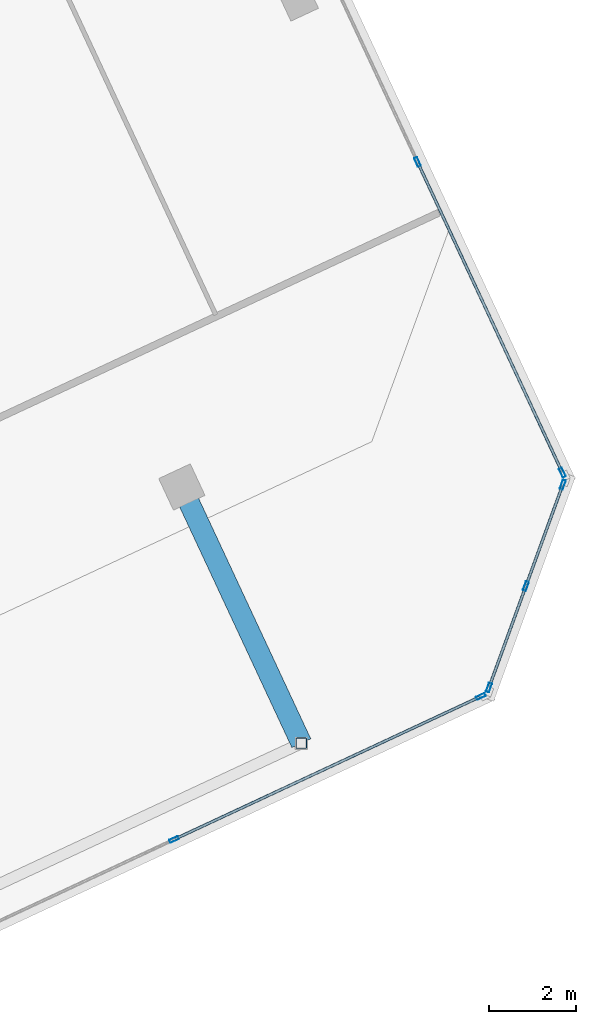
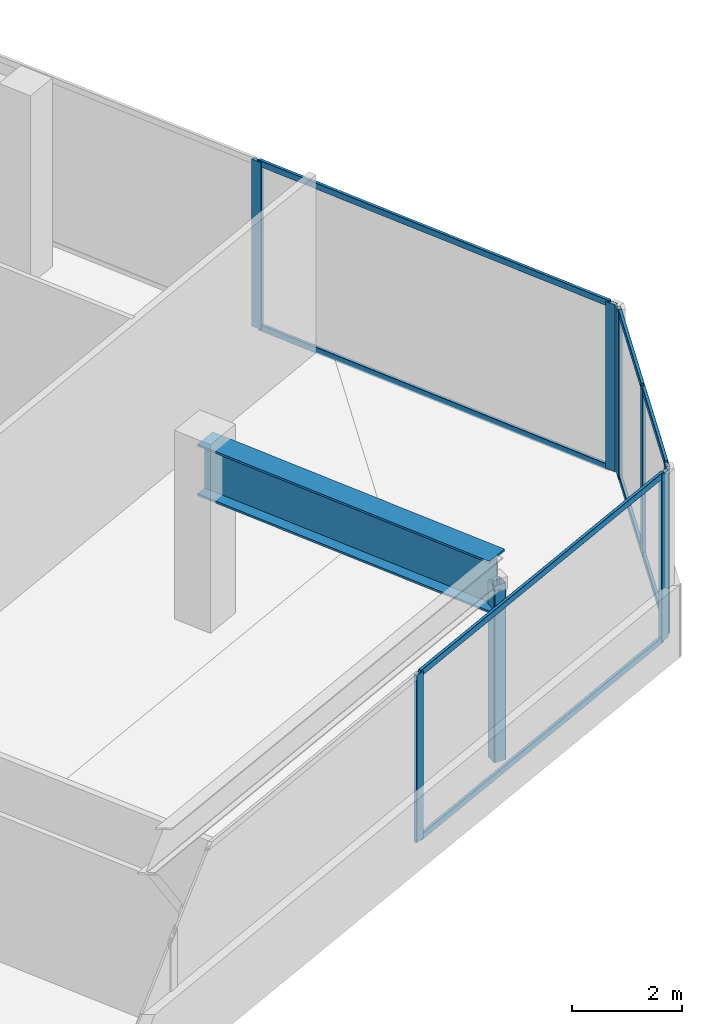
# One storey, part 7 of 17: 16 members, 1 beam, 3 elements without a shape of their own.
"""IFC4 building model written with IfcOpenShell, lengths in metres."""

from ifc_helpers import new_model, si_unit, direction, frame, origin, origin_2d, place, context, subcontext, project, spatial, hollow_rectangle, i_section, extrude, source, transform, mapped, material, material_profile, profile_set, type_object, element, aggregate, save


model = new_model("IFC4")

# Units and contexts
model_context = context("Model", 3, precision=1e-05, world=origin(), true_north=direction((0.0, 1.0)))
body_context = subcontext(model_context, "Body", "Model", "MODEL_VIEW")
ifc_project = project(units=[si_unit("LENGTHUNIT", "METRE"), si_unit("AREAUNIT", "SQUARE_METRE"), si_unit("VOLUMEUNIT", "CUBIC_METRE"), si_unit("PLANEANGLEUNIT", "RADIAN"), si_unit("MASSUNIT", "GRAM", prefix="KILO")], contexts=[model_context])

# Site, building, storey
site_placement = place(None, origin())
site = spatial("IfcSite", under=ifc_project, at=site_placement, CompositionType="ELEMENT")
building_placement = place(site_placement, origin())
building = spatial("IfcBuilding", under=site, at=building_placement, Name="Torre Montelarca", CompositionType="ELEMENT")
storey_placement = place(building_placement, frame((0.0, 0.0, 340.800048828125)))
storey = spatial("IfcBuildingStorey", under=building, at=storey_placement, Name="L77", CompositionType="ELEMENT", Elevation=340.800048828125)

# Beam
ifc_material_1 = material(Name="Steel ASTM A572 Grade 50", Category="steel")
ifc_material_profile_1 = material_profile(ifc_material_1, i_section(OverallWidth=0.47998046875, OverallDepth=1.14990234375, WebThickness=0.02197265625, FlangeThickness=0.044921875, at=origin_2d()), Name="PG1150X480X22X45", Category="steel")
ifc_profile_set_1 = profile_set([ifc_material_profile_1], Name="Steel ASTM A572 Grade 50")
beam_type = type_object("IfcBeamType", Name="BM-CG-PG1400-EXT", PredefinedType="USERDEFINED", material=ifc_profile_set_1)
shared_shape_1 = source(origin(), body_context, "Body", "SweptSolid", [
    extrude(i_section(OverallWidth=0.47998046875, OverallDepth=1.14990234375, WebThickness=0.02197265625, FlangeThickness=0.044921875, at=origin_2d()), origin(), (0.0, 0.0, 1.0), 6.500244140625),
])
beam_placement = place(storey_placement, frame((34.87841796875, 22.239501953125, 3.385009765625), z_axis=(0.422618144776, -0.906307841578, 0.0), x_axis=(0.906307841578, 0.422618144776, 0.0)))
element("IfcBeam", 1, at=beam_placement, inside=storey, type_object=beam_type, Name="L77 Sliding Tray Cantilever Girder East Y=40m (FLR)", ObjectType="CANTILEVER GIRDER", PredefinedType="USERDEFINED", context=body_context, shape_type="MappedRepresentation", body=[
    mapped(shared_shape_1, transform((0.0, 0.0, 0.0), scale=1.0)),
])

# Member
ifc_material_2 = material(Name="Steel ASTM A500 Grade C", Category="steel")
ifc_material_profile_2 = material_profile(ifc_material_2, hollow_rectangle(XDim=0.25390625, YDim=0.25390625, WallThickness=0.015869140625, InnerFilletRadius=0.015869140625, OuterFilletRadius=0.03173828125, at=origin_2d()), Name="HSS254X254X15.9", Category="steel")
ifc_profile_set_2 = profile_set([ifc_material_profile_2], Name="Steel ASTM A500 Grade C")
member_type_1 = type_object("IfcMemberType", Name="MB-ST-HSS254-EXT", PredefinedType="STRUT", material=ifc_profile_set_2)
shared_shape_2 = source(origin(), body_context, "Body", "SweptSolid", [
    extrude(hollow_rectangle(XDim=0.25390625, YDim=0.25390625, WallThickness=0.015869140625, InnerFilletRadius=0.015869140625, OuterFilletRadius=0.03173828125, at=origin_2d()), origin(), (0.0, 0.0, 1.0), 3.93505859375),
])
member_1_placement = place(storey_placement, frame((37.62548828125, 16.348388671875, -0.550048828125), z_axis=(0.0, 0.0, 1.0), x_axis=(1.0, 0.0, 0.0)))
element("IfcMember", 2, at=member_1_placement, inside=storey, type_object=member_type_1, Name="L77 Sky-Lounge Cantilever Truss Vertical Strut Y=40m", PredefinedType="STRUT", context=body_context, shape_type="MappedRepresentation", body=[
    mapped(shared_shape_2, transform((0.0, 0.0, 0.0), scale=1.0)),
])

# Curtain wall, members
ifc_material_3 = material(Name="Insulated low-E laminated glass", Category="glass")
curtain_wall_type = type_object("IfcCurtainWallType", Name="CW-SYS-Z4", PredefinedType="USERDEFINED", material=ifc_material_3)
curtain_wall_1_placement = place(storey_placement, origin())
curtain_wall_1 = element("IfcCurtainWall", 3, at=curtain_wall_1_placement, inside=storey, type_object=curtain_wall_type, Name="L77 Curtain Wall Run CW-T3-L77-E06-B1", ObjectType="UNITISED GLAZING", PredefinedType="USERDEFINED")
ifc_material_4 = material(Name="Anodised aluminium AA 6063-T6", Category="aluminium")
ifc_material_profile_3 = material_profile(ifc_material_4, hollow_rectangle(XDim=0.074951171875, YDim=0.219970703125, WallThickness=0.0048828125, InnerFilletRadius=0.0048828125, OuterFilletRadius=0.010009765625, at=origin_2d()), Name="ALU75X220X5", Category="aluminium")
ifc_profile_set_3 = profile_set([ifc_material_profile_3], Name="Anodised aluminium AA 6063-T6")
member_type_2 = type_object("IfcMemberType", Name="CWM-ALU220", PredefinedType="MULLION", material=ifc_profile_set_3)
shared_shape_3 = source(origin(), body_context, "Body", "SweptSolid", [
    extrude(hollow_rectangle(XDim=0.074951171875, YDim=0.219970703125, WallThickness=0.0048828125, InnerFilletRadius=0.0048828125, OuterFilletRadius=0.010009765625, at=origin_2d()), origin(), (0.0, 0.0, 1.0), 3.719970703125),
])
member_2_placement = place(storey_placement, frame((34.698486328125, 14.134033203125, 0.0), z_axis=(0.0, 0.0, 1.0), x_axis=(-0.422612053903, 0.906310681773, 0.0)))
member_2 = element("IfcMember", 4, at=member_2_placement, type_object=member_type_2, Name="CW mullion 3", PredefinedType="MULLION", context=body_context, shape_type="MappedRepresentation", body=[
    mapped(shared_shape_3, transform((0.0, 0.0, 0.0), scale=1.0)),
])
member_3_placement = place(storey_placement, frame((41.75439453125, 17.424072265625, 0.0), z_axis=(0.0, 0.0, 1.0), x_axis=(-0.422612053903, 0.906310681773, 0.0)))
member_3 = element("IfcMember", 5, at=member_3_placement, type_object=member_type_2, Name="CW mullion 4", PredefinedType="MULLION", context=body_context, shape_type="MappedRepresentation", body=[
    mapped(shared_shape_3, transform((0.0, 0.0, 0.0), scale=1.0)),
])

curtain_wall_2_placement = place(storey_placement, origin())
curtain_wall_2 = element("IfcCurtainWall", 6, at=curtain_wall_2_placement, inside=storey, type_object=curtain_wall_type, Name="L77 Curtain Wall Run CW-T3-L77-E07-B1", ObjectType="UNITISED GLAZING", PredefinedType="USERDEFINED")
member_4_placement = place(storey_placement, frame((41.94091796875, 17.6279296875, 0.0), z_axis=(0.0, 0.0, 1.0), x_axis=(-0.939694365175, 0.342015350618, 0.0)))
member_4 = element("IfcMember", 7, at=member_4_placement, type_object=member_type_2, Name="CW mullion 1", PredefinedType="MULLION", context=body_context, shape_type="MappedRepresentation", body=[
    mapped(shared_shape_3, transform((0.0, 0.0, 0.0), scale=1.0)),
])
member_5_placement = place(storey_placement, frame((42.79052734375, 19.961669921875, 0.0), z_axis=(0.0, 0.0, 1.0), x_axis=(-0.939694365175, 0.342015350618, 0.0)))
member_5 = element("IfcMember", 8, at=member_5_placement, type_object=member_type_2, Name="CW mullion 2", PredefinedType="MULLION", context=body_context, shape_type="MappedRepresentation", body=[
    mapped(shared_shape_3, transform((0.0, 0.0, 0.0), scale=1.0)),
])
member_6_placement = place(storey_placement, frame((43.639892578125, 22.295654296875, 0.0), z_axis=(0.0, 0.0, 1.0), x_axis=(-0.939694365175, 0.342015350618, 0.0)))
member_6 = element("IfcMember", 9, at=member_6_placement, type_object=member_type_2, Name="CW mullion 3", PredefinedType="MULLION", context=body_context, shape_type="MappedRepresentation", body=[
    mapped(shared_shape_3, transform((0.0, 0.0, 0.0), scale=1.0)),
])

curtain_wall_3_placement = place(storey_placement, origin())
curtain_wall_3 = element("IfcCurtainWall", 10, at=curtain_wall_3_placement, inside=storey, type_object=curtain_wall_type, Name="L77 Curtain Wall Run CW-T3-L77-E08-B1", ObjectType="UNITISED GLAZING", PredefinedType="USERDEFINED")
member_7_placement = place(storey_placement, frame((43.627685546875, 22.571533203125, 0.0), z_axis=(0.0, 0.0, 1.0), x_axis=(-0.906309431792, -0.422614734533, 0.0)))
member_7 = element("IfcMember", 11, at=member_7_placement, type_object=member_type_2, Name="CW mullion 1", PredefinedType="MULLION", context=body_context, shape_type="MappedRepresentation", body=[
    mapped(shared_shape_3, transform((0.0, 0.0, 0.0), scale=1.0)),
])
member_8_placement = place(storey_placement, frame((40.297607421875, 29.712890625, 0.0), z_axis=(0.0, 0.0, 1.0), x_axis=(-0.906309431792, -0.422614734533, 0.0)))
member_8 = element("IfcMember", 12, at=member_8_placement, type_object=member_type_2, Name="CW mullion 2", PredefinedType="MULLION", context=body_context, shape_type="MappedRepresentation", body=[
    mapped(shared_shape_3, transform((0.0, 0.0, 0.0), scale=1.0)),
])

# Member
ifc_material_profile_4 = material_profile(ifc_material_4, hollow_rectangle(XDim=0.06494140625, YDim=0.139892578125, WallThickness=0.00390625, InnerFilletRadius=0.00390625, OuterFilletRadius=0.008056640625, at=origin_2d()), Name="ALU65X140X4", Category="aluminium")
ifc_profile_set_4 = profile_set([ifc_material_profile_4], Name="Anodised aluminium AA 6063-T6")
member_type_3 = type_object("IfcMemberType", Name="CWT-ALU140", PredefinedType="USERDEFINED", material=ifc_profile_set_4)
shared_shape_4 = source(origin(), body_context, "Body", "SweptSolid", [
    extrude(hollow_rectangle(XDim=0.06494140625, YDim=0.139892578125, WallThickness=0.00390625, InnerFilletRadius=0.00390625, OuterFilletRadius=0.008056640625, at=origin_2d()), origin(), (0.0, 0.0, 1.0), 2.40869140625),
])
member_9_placement = place(storey_placement, frame((41.953857421875, 17.6630859375, 0.032470703125), z_axis=(0.341987202353, 0.939704609666, 0.0), x_axis=(-0.939704609666, 0.341987202353, 0.0)))
member_9 = element("IfcMember", 13, at=member_9_placement, type_object=member_type_3, Name="CW transom 1.1", ObjectType="TRANSOM", PredefinedType="USERDEFINED", context=body_context, shape_type="MappedRepresentation", body=[
    mapped(shared_shape_4, transform((0.0, 0.0, 0.0), scale=1.0)),
])

member_10_placement = place(storey_placement, frame((41.953857421875, 17.6630859375, 3.6875), z_axis=(0.341987202353, 0.939704609666, 0.0), x_axis=(-0.939704609666, 0.341987202353, 0.0)))
member_10 = element("IfcMember", 14, at=member_10_placement, type_object=member_type_3, Name="CW transom 1.2", ObjectType="TRANSOM", PredefinedType="USERDEFINED", context=body_context, shape_type="MappedRepresentation", body=[
    mapped(shared_shape_4, transform((0.0, 0.0, 0.0), scale=1.0)),
])

shared_shape_5 = source(origin(), body_context, "Body", "SweptSolid", [
    extrude(hollow_rectangle(XDim=0.06494140625, YDim=0.139892578125, WallThickness=0.00390625, InnerFilletRadius=0.00390625, OuterFilletRadius=0.008056640625, at=origin_2d()), origin(), (0.0, 0.0, 1.0), 2.408447265625),
])
member_11_placement = place(storey_placement, frame((42.80322265625, 19.9970703125, 0.032470703125), z_axis=(0.342019778867, 0.939692753438, 0.0), x_axis=(-0.939692753438, 0.342019778867, 0.0)))
member_11 = element("IfcMember", 15, at=member_11_placement, type_object=member_type_3, Name="CW transom 2.1", ObjectType="TRANSOM", PredefinedType="USERDEFINED", context=body_context, shape_type="MappedRepresentation", body=[
    mapped(shared_shape_5, transform((0.0, 0.0, 0.0), scale=1.0)),
])

member_12_placement = place(storey_placement, frame((42.80322265625, 19.9970703125, 3.6875), z_axis=(0.342019778867, 0.939692753438, 0.0), x_axis=(-0.939692753438, 0.342019778867, 0.0)))
member_12 = element("IfcMember", 16, at=member_12_placement, type_object=member_type_3, Name="CW transom 2.2", ObjectType="TRANSOM", PredefinedType="USERDEFINED", context=body_context, shape_type="MappedRepresentation", body=[
    mapped(shared_shape_5, transform((0.0, 0.0, 0.0), scale=1.0)),
])

aggregate(curtain_wall_2, [member_4, member_5, member_6, member_9, member_10, member_11, member_12])

shared_shape_6 = source(origin(), body_context, "Body", "SweptSolid", [
    extrude(hollow_rectangle(XDim=0.06494140625, YDim=0.139892578125, WallThickness=0.00390625, InnerFilletRadius=0.00390625, OuterFilletRadius=0.008056640625, at=origin_2d()), origin(), (0.0, 0.0, 1.0), 7.71044921875),
])
member_13_placement = place(storey_placement, frame((34.732421875, 14.14990234375, 0.032470703125), z_axis=(0.906321419701, 0.422589025166, 0.0), x_axis=(-0.422589025166, 0.906321419701, 0.0)))
member_13 = element("IfcMember", 17, at=member_13_placement, type_object=member_type_3, Name="CW transom 3.1", ObjectType="TRANSOM", PredefinedType="USERDEFINED", context=body_context, shape_type="MappedRepresentation", body=[
    mapped(shared_shape_6, transform((0.0, 0.0, 0.0), scale=1.0)),
])

member_14_placement = place(storey_placement, frame((34.732421875, 14.14990234375, 3.6875), z_axis=(0.906321419701, 0.422589025166, 0.0), x_axis=(-0.422589025166, 0.906321419701, 0.0)))
member_14 = element("IfcMember", 18, at=member_14_placement, type_object=member_type_3, Name="CW transom 3.2", ObjectType="TRANSOM", PredefinedType="USERDEFINED", context=body_context, shape_type="MappedRepresentation", body=[
    mapped(shared_shape_6, transform((0.0, 0.0, 0.0), scale=1.0)),
])

aggregate(curtain_wall_1, [member_2, member_3, member_13, member_14])

shared_shape_7 = source(origin(), body_context, "Body", "SweptSolid", [
    extrude(hollow_rectangle(XDim=0.06494140625, YDim=0.139892578125, WallThickness=0.00390625, InnerFilletRadius=0.00390625, OuterFilletRadius=0.008056640625, at=origin_2d()), origin(), (0.0, 0.0, 1.0), 7.8046875),
])
member_15_placement = place(storey_placement, frame((43.61181640625, 22.60546875, 0.032470703125), z_axis=(-0.422609736898, 0.906311762187, 0.0), x_axis=(-0.906311762187, -0.422609736898, 0.0)))
member_15 = element("IfcMember", 19, at=member_15_placement, type_object=member_type_3, Name="CW transom 1.1", ObjectType="TRANSOM", PredefinedType="USERDEFINED", context=body_context, shape_type="MappedRepresentation", body=[
    mapped(shared_shape_7, transform((0.0, 0.0, 0.0), scale=1.0)),
])

member_16_placement = place(storey_placement, frame((43.61181640625, 22.60546875, 3.6875), z_axis=(-0.422609736898, 0.906311762187, 0.0), x_axis=(-0.906311762187, -0.422609736898, 0.0)))
member_16 = element("IfcMember", 20, at=member_16_placement, type_object=member_type_3, Name="CW transom 1.2", ObjectType="TRANSOM", PredefinedType="USERDEFINED", context=body_context, shape_type="MappedRepresentation", body=[
    mapped(shared_shape_7, transform((0.0, 0.0, 0.0), scale=1.0)),
])

aggregate(curtain_wall_3, [member_7, member_8, member_15, member_16])

save(model, "model.ifc")
